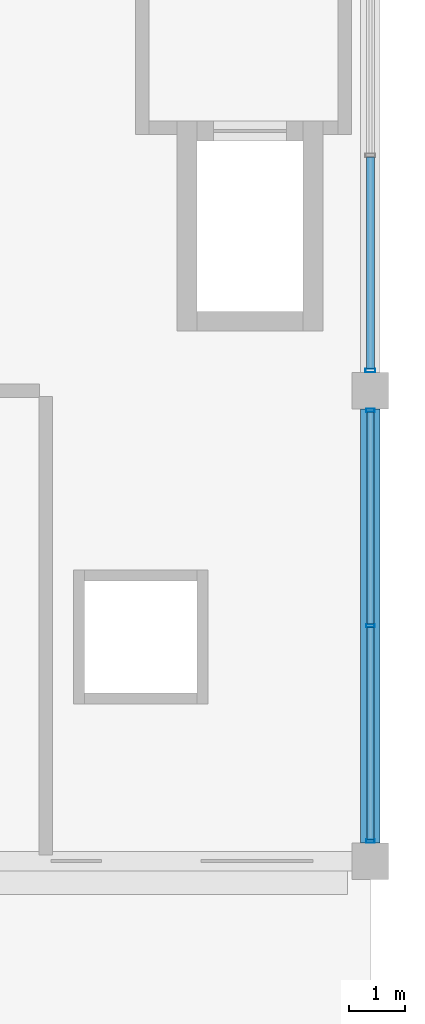
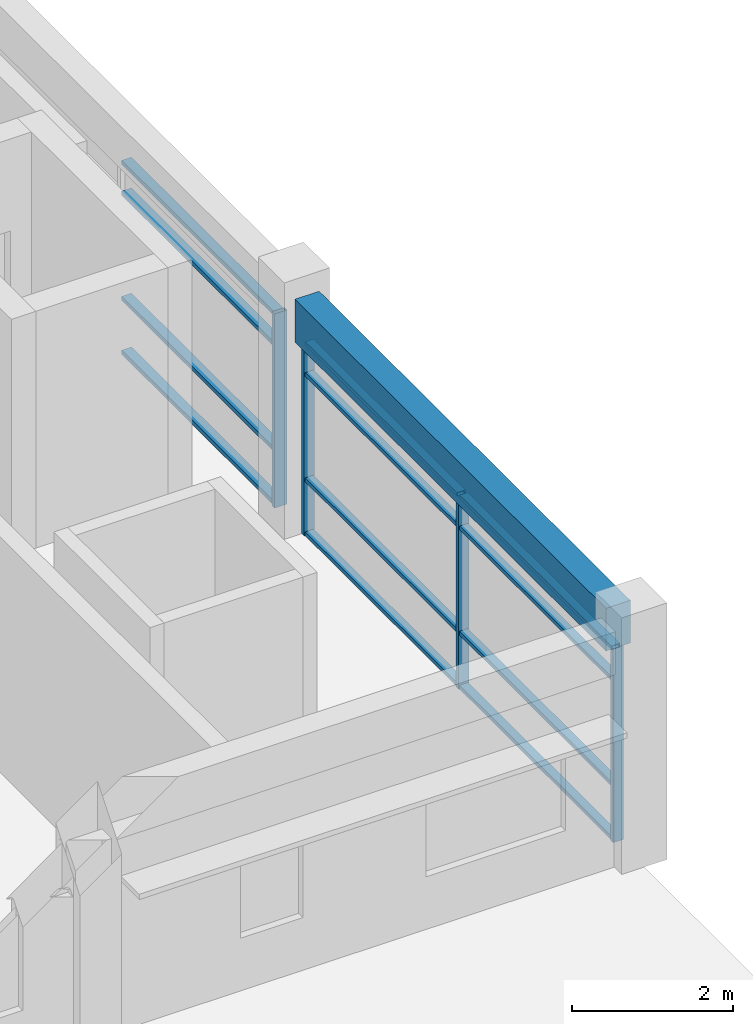
# One storey, part 1 of 20: 16 members, 1 beam, 2 elements without a shape of their own.
"""IFC4 building model written with IfcOpenShell, lengths in metres."""

from ifc_helpers import new_model, si_unit, direction, frame, origin, origin_2d, place, context, subcontext, project, spatial, rectangle, hollow_rectangle, extrude, material, material_profile, profile_set, type_object, element, aggregate, save


model = new_model("IFC4")

# Units and contexts
model_context = context("Model", 3, precision=1e-05, world=origin(), true_north=direction((0.0, 1.0)))
body_context = subcontext(model_context, "Body", "Model", "MODEL_VIEW")
ifc_project = project(units=[si_unit("LENGTHUNIT", "METRE"), si_unit("AREAUNIT", "SQUARE_METRE"), si_unit("VOLUMEUNIT", "CUBIC_METRE"), si_unit("PLANEANGLEUNIT", "RADIAN"), si_unit("MASSUNIT", "GRAM", prefix="KILO"), si_unit("THERMODYNAMICTEMPERATUREUNIT", "KELVIN"), si_unit("POWERUNIT", "WATT")], contexts=[model_context])

# Site, building, storey
site_placement = place(None, origin())
site = spatial("IfcSite", under=ifc_project, at=site_placement, CompositionType="ELEMENT")
building_placement = place(site_placement, origin())
building = spatial("IfcBuilding", under=site, at=building_placement, Name="Srebrne Nadtorze General Hospital", CompositionType="ELEMENT")
storey_placement = place(building_placement, frame((0.0, 0.0, 33.89990234375)))
storey = spatial("IfcBuildingStorey", under=building, at=storey_placement, Name="L08", CompositionType="ELEMENT", Elevation=33.89990234375)

# Curtain wall, members
ifc_material_1 = material(Name="Anodised Aluminium", Category="aluminium")
curtain_wall_type = type_object("IfcCurtainWallType", Name="Unitised curtain wall 7750x2950", PredefinedType="NOTDEFINED", material=ifc_material_1)
curtain_wall_1_placement = place(storey_placement, origin())
curtain_wall_1 = element("IfcCurtainWall", 1, at=curtain_wall_1_placement, inside=storey, type_object=curtain_wall_type, Name="Curtain wall CW-158", PredefinedType="NOTDEFINED")
ifc_material_2 = material(Name="Anodised Aluminium", Category="aluminium")
ifc_material_profile_1 = material_profile(ifc_material_2, hollow_rectangle(XDim=0.06005859375, YDim=0.14990234375, WallThickness=0.00390625, at=origin_2d()), Name="AL-MUL-60x150")
ifc_profile_set_1 = profile_set([ifc_material_profile_1], Name="Anodised Aluminium")
member_type_1 = type_object("IfcMemberType", Name="Curtain mullion 60x150", PredefinedType="MULLION", material=ifc_profile_set_1)
member_1_placement = place(storey_placement, frame((54.60009765625, 33.955078125, 0.0), z_axis=(0.0, 0.0, 1.0), x_axis=(0.0, 1.0, 0.0)))
member_1 = element("IfcMember", 2, at=member_1_placement, type_object=member_type_1, Name="CW-158 mullion 1", PredefinedType="MULLION", context=body_context, shape_type="SweptSolid", body=[
    extrude(hollow_rectangle(XDim=0.06005859375, YDim=0.14990234375, WallThickness=0.00390625, at=origin_2d()), origin(), (0.0, 0.0, 1.0), 2.9501953125),
])
member_2_placement = place(storey_placement, frame((54.60009765625, 37.800048828125, 0.0), z_axis=(0.0, 0.0, 1.0), x_axis=(0.0, 1.0, 0.0)))
member_2 = element("IfcMember", 3, at=member_2_placement, type_object=member_type_1, Name="CW-158 mullion 2", PredefinedType="MULLION", context=body_context, shape_type="SweptSolid", body=[
    extrude(hollow_rectangle(XDim=0.06005859375, YDim=0.14990234375, WallThickness=0.00390625, at=origin_2d()), origin(), (0.0, 0.0, 1.0), 2.9501953125),
])
member_3_placement = place(storey_placement, frame((54.60009765625, 41.64501953125, 0.0), z_axis=(0.0, 0.0, 1.0), x_axis=(0.0, 1.0, 0.0)))
member_3 = element("IfcMember", 4, at=member_3_placement, type_object=member_type_1, Name="CW-158 mullion 3", PredefinedType="MULLION", context=body_context, shape_type="SweptSolid", body=[
    extrude(hollow_rectangle(XDim=0.06005859375, YDim=0.14990234375, WallThickness=0.00390625, at=origin_2d()), origin(), (0.0, 0.0, 1.0), 2.9501953125),
])

# Curtain wall, member
curtain_wall_2_placement = place(storey_placement, origin())
curtain_wall_2 = element("IfcCurtainWall", 5, at=curtain_wall_2_placement, inside=storey, type_object=curtain_wall_type, Name="Curtain wall CW-159", PredefinedType="NOTDEFINED")
ifc_material_3 = material(Name="Anodised Aluminium", Category="aluminium")
ifc_material_profile_2 = material_profile(ifc_material_3, hollow_rectangle(XDim=0.06494140625, YDim=0.179931640625, WallThickness=0.00390625, at=origin_2d()), Name="AL-MUL-65x180")
ifc_profile_set_2 = profile_set([ifc_material_profile_2], Name="Anodised Aluminium")
member_type_2 = type_object("IfcMemberType", Name="Curtain mullion 65x180", PredefinedType="MULLION", material=ifc_profile_set_2)
member_4_placement = place(storey_placement, frame((54.60009765625, 42.357421875, 0.0), z_axis=(0.0, 0.0, 1.0), x_axis=(0.0, 1.0, 0.0)))
member_4 = element("IfcMember", 6, at=member_4_placement, type_object=member_type_2, Name="CW-159 mullion 1", PredefinedType="MULLION", context=body_context, shape_type="SweptSolid", body=[
    extrude(hollow_rectangle(XDim=0.06494140625, YDim=0.179931640625, WallThickness=0.00390625, at=origin_2d()), origin(), (0.0, 0.0, 1.0), 2.9501953125),
])

# Member
ifc_material_4 = material(Name="Anodised Aluminium", Category="aluminium")
ifc_material_profile_3 = material_profile(ifc_material_4, hollow_rectangle(XDim=0.06005859375, YDim=0.1201171875, WallThickness=0.00390625, at=origin_2d()), Name="AL-TRN-60x120")
ifc_profile_set_3 = profile_set([ifc_material_profile_3], Name="Anodised Aluminium")
member_type_3 = type_object("IfcMemberType", Name="Curtain transom 60x120", PredefinedType="USERDEFINED", material=ifc_profile_set_3)
member_5_placement = place(storey_placement, frame((54.60009765625, 33.985107421875, 0.030029296875), z_axis=(0.0, 1.0, 0.0), x_axis=(0.0, 0.0, 1.0)))
member_5 = element("IfcMember", 7, at=member_5_placement, type_object=member_type_3, Name="CW-158 transom 1.1", ObjectType="TRANSOM", PredefinedType="USERDEFINED", context=body_context, shape_type="SweptSolid", body=[
    extrude(hollow_rectangle(XDim=0.06005859375, YDim=0.1201171875, WallThickness=0.00390625, at=origin_2d()), origin(), (0.0, 0.0, 1.0), 3.784912109375),
])

member_6_placement = place(storey_placement, frame((54.60009765625, 33.985107421875, 0.85009765625), z_axis=(0.0, 1.0, 0.0), x_axis=(0.0, 0.0, 1.0)))
member_6 = element("IfcMember", 8, at=member_6_placement, type_object=member_type_3, Name="CW-158 transom 1.2", ObjectType="TRANSOM", PredefinedType="USERDEFINED", context=body_context, shape_type="SweptSolid", body=[
    extrude(hollow_rectangle(XDim=0.06005859375, YDim=0.1201171875, WallThickness=0.00390625, at=origin_2d()), origin(), (0.0, 0.0, 1.0), 3.784912109375),
])

member_7_placement = place(storey_placement, frame((54.60009765625, 33.985107421875, 2.4501953125), z_axis=(0.0, 1.0, 0.0), x_axis=(0.0, 0.0, 1.0)))
member_7 = element("IfcMember", 9, at=member_7_placement, type_object=member_type_3, Name="CW-158 transom 1.3", ObjectType="TRANSOM", PredefinedType="USERDEFINED", context=body_context, shape_type="SweptSolid", body=[
    extrude(hollow_rectangle(XDim=0.06005859375, YDim=0.1201171875, WallThickness=0.00390625, at=origin_2d()), origin(), (0.0, 0.0, 1.0), 3.784912109375),
])

member_8_placement = place(storey_placement, frame((54.60009765625, 33.985107421875, 2.920166015625), z_axis=(0.0, 1.0, 0.0), x_axis=(0.0, 0.0, 1.0)))
member_8 = element("IfcMember", 10, at=member_8_placement, type_object=member_type_3, Name="CW-158 transom 1.4", ObjectType="TRANSOM", PredefinedType="USERDEFINED", context=body_context, shape_type="SweptSolid", body=[
    extrude(hollow_rectangle(XDim=0.06005859375, YDim=0.1201171875, WallThickness=0.00390625, at=origin_2d()), origin(), (0.0, 0.0, 1.0), 3.784912109375),
])

member_9_placement = place(storey_placement, frame((54.60009765625, 37.830078125, 0.030029296875), z_axis=(0.0, 1.0, 0.0), x_axis=(0.0, 0.0, 1.0)))
member_9 = element("IfcMember", 11, at=member_9_placement, type_object=member_type_3, Name="CW-158 transom 2.1", ObjectType="TRANSOM", PredefinedType="USERDEFINED", context=body_context, shape_type="SweptSolid", body=[
    extrude(hollow_rectangle(XDim=0.06005859375, YDim=0.1201171875, WallThickness=0.00390625, at=origin_2d()), origin(), (0.0, 0.0, 1.0), 3.784912109375),
])

member_10_placement = place(storey_placement, frame((54.60009765625, 37.830078125, 0.85009765625), z_axis=(0.0, 1.0, 0.0), x_axis=(0.0, 0.0, 1.0)))
member_10 = element("IfcMember", 12, at=member_10_placement, type_object=member_type_3, Name="CW-158 transom 2.2", ObjectType="TRANSOM", PredefinedType="USERDEFINED", context=body_context, shape_type="SweptSolid", body=[
    extrude(hollow_rectangle(XDim=0.06005859375, YDim=0.1201171875, WallThickness=0.00390625, at=origin_2d()), origin(), (0.0, 0.0, 1.0), 3.784912109375),
])

member_11_placement = place(storey_placement, frame((54.60009765625, 37.830078125, 2.4501953125), z_axis=(0.0, 1.0, 0.0), x_axis=(0.0, 0.0, 1.0)))
member_11 = element("IfcMember", 13, at=member_11_placement, type_object=member_type_3, Name="CW-158 transom 2.3", ObjectType="TRANSOM", PredefinedType="USERDEFINED", context=body_context, shape_type="SweptSolid", body=[
    extrude(hollow_rectangle(XDim=0.06005859375, YDim=0.1201171875, WallThickness=0.00390625, at=origin_2d()), origin(), (0.0, 0.0, 1.0), 3.784912109375),
])

member_12_placement = place(storey_placement, frame((54.60009765625, 37.830078125, 2.920166015625), z_axis=(0.0, 1.0, 0.0), x_axis=(0.0, 0.0, 1.0)))
member_12 = element("IfcMember", 14, at=member_12_placement, type_object=member_type_3, Name="CW-158 transom 2.4", ObjectType="TRANSOM", PredefinedType="USERDEFINED", context=body_context, shape_type="SweptSolid", body=[
    extrude(hollow_rectangle(XDim=0.06005859375, YDim=0.1201171875, WallThickness=0.00390625, at=origin_2d()), origin(), (0.0, 0.0, 1.0), 3.784912109375),
])

aggregate(curtain_wall_1, [member_1, member_2, member_3, member_5, member_6, member_7, member_8, member_9, member_10, member_11, member_12])

ifc_material_5 = material(Name="Anodised Aluminium", Category="aluminium")
ifc_material_profile_4 = material_profile(ifc_material_5, hollow_rectangle(XDim=0.06494140625, YDim=0.139892578125, WallThickness=0.00390625, at=origin_2d()), Name="AL-TRN-65x140")
ifc_profile_set_4 = profile_set([ifc_material_profile_4], Name="Anodised Aluminium")
member_type_4 = type_object("IfcMemberType", Name="Curtain transom 65x140", PredefinedType="USERDEFINED", material=ifc_profile_set_4)
member_13_placement = place(storey_placement, frame((54.60009765625, 42.389892578125, 0.03271484375), z_axis=(0.0, 1.0, 0.0), x_axis=(0.0, 0.0, 1.0)))
member_13 = element("IfcMember", 15, at=member_13_placement, type_object=member_type_4, Name="CW-159 transom 1.1", ObjectType="TRANSOM", PredefinedType="USERDEFINED", context=body_context, shape_type="SweptSolid", body=[
    extrude(hollow_rectangle(XDim=0.06494140625, YDim=0.139892578125, WallThickness=0.00390625, at=origin_2d()), origin(), (0.0, 0.0, 1.0), 3.777587890625),
])

member_14_placement = place(storey_placement, frame((54.60009765625, 42.389892578125, 0.85009765625), z_axis=(0.0, 1.0, 0.0), x_axis=(0.0, 0.0, 1.0)))
member_14 = element("IfcMember", 16, at=member_14_placement, type_object=member_type_4, Name="CW-159 transom 1.2", ObjectType="TRANSOM", PredefinedType="USERDEFINED", context=body_context, shape_type="SweptSolid", body=[
    extrude(hollow_rectangle(XDim=0.06494140625, YDim=0.139892578125, WallThickness=0.00390625, at=origin_2d()), origin(), (0.0, 0.0, 1.0), 3.777587890625),
])

member_15_placement = place(storey_placement, frame((54.60009765625, 42.389892578125, 2.4501953125), z_axis=(0.0, 1.0, 0.0), x_axis=(0.0, 0.0, 1.0)))
member_15 = element("IfcMember", 17, at=member_15_placement, type_object=member_type_4, Name="CW-159 transom 1.3", ObjectType="TRANSOM", PredefinedType="USERDEFINED", context=body_context, shape_type="SweptSolid", body=[
    extrude(hollow_rectangle(XDim=0.06494140625, YDim=0.139892578125, WallThickness=0.00390625, at=origin_2d()), origin(), (0.0, 0.0, 1.0), 3.777587890625),
])

member_16_placement = place(storey_placement, frame((54.60009765625, 42.389892578125, 2.91748046875), z_axis=(0.0, 1.0, 0.0), x_axis=(0.0, 0.0, 1.0)))
member_16 = element("IfcMember", 18, at=member_16_placement, type_object=member_type_4, Name="CW-159 transom 1.4", ObjectType="TRANSOM", PredefinedType="USERDEFINED", context=body_context, shape_type="SweptSolid", body=[
    extrude(hollow_rectangle(XDim=0.06494140625, YDim=0.139892578125, WallThickness=0.00390625, at=origin_2d()), origin(), (0.0, 0.0, 1.0), 3.777587890625),
])

aggregate(curtain_wall_2, [member_4, member_13, member_14, member_15, member_16])

# Beam
ifc_material_6 = material(Name="Concrete C35/45", Category="concrete")
ifc_material_profile_5 = material_profile(ifc_material_6, rectangle(XDim=0.35009765625, YDim=0.64990234375, at=origin_2d()), Name="RC-BM-350x650")
ifc_profile_set_5 = profile_set([ifc_material_profile_5], Name="Concrete C35/45")
beam_type = type_object("IfcBeamType", Name="Edge beam RC 350x650", PredefinedType="BEAM", material=ifc_profile_set_5)
beam_placement = place(storey_placement, frame((54.60009765625, 33.925048828125, 3.275146484375), z_axis=(0.0, 1.0, 0.0), x_axis=(-1.0, 0.0, 0.0)))
element("IfcBeam", 19, at=beam_placement, inside=storey, type_object=beam_type, Name="Beam BM-L08-Y-1366", PredefinedType="BEAM", context=body_context, shape_type="SweptSolid", body=[
    extrude(rectangle(XDim=0.35009765625, YDim=0.64990234375, at=origin_2d()), origin(), (0.0, 0.0, 1.0), 7.75),
])

save(model, "model.ifc")
